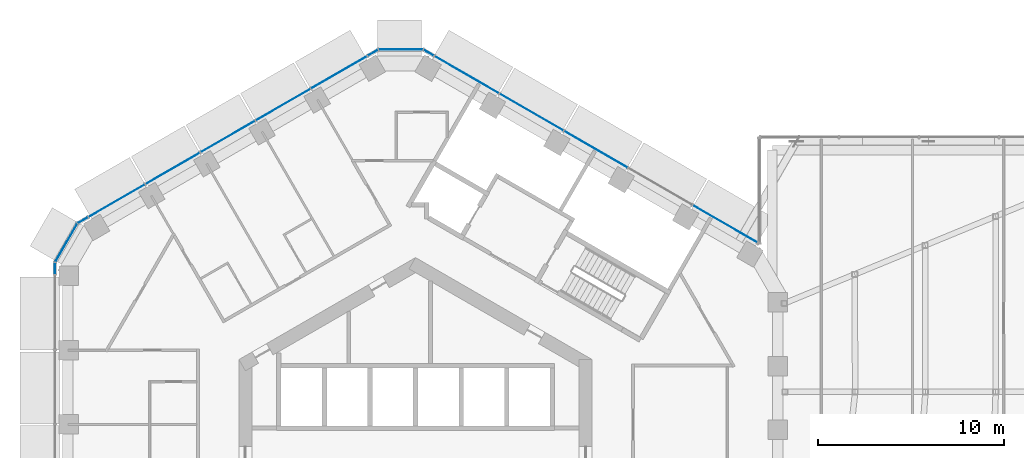
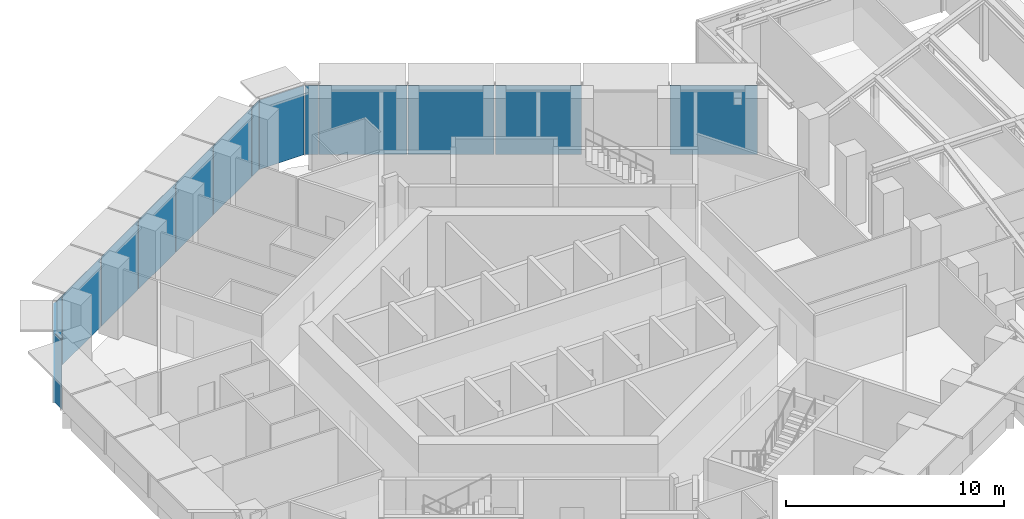
# One storey, part 14 of 24: 15 plates, 4 elements without a shape of their own.
"""IFC4 building model written with IfcOpenShell, lengths in metres."""

from ifc_helpers import new_model, si_unit, direction, frame, origin, origin_2d, place, context, subcontext, project, spatial, rectangle, extrude, material, layer, layer_set, type_object, element, aggregate, save


model = new_model("IFC4")

# Units and contexts
model_context = context("Model", 3, precision=1e-05, world=origin(), true_north=direction((0.0, 1.0)))
body_context = subcontext(model_context, "Body", "Model", "MODEL_VIEW")
ifc_project = project(units=[si_unit("LENGTHUNIT", "METRE"), si_unit("AREAUNIT", "SQUARE_METRE"), si_unit("VOLUMEUNIT", "CUBIC_METRE"), si_unit("PLANEANGLEUNIT", "RADIAN"), si_unit("MASSUNIT", "GRAM", prefix="KILO")], contexts=[model_context])

# Site, building, storey
site_placement = place(None, origin())
site = spatial("IfcSite", under=ifc_project, at=site_placement, CompositionType="ELEMENT")
building_placement = place(site_placement, origin())
building = spatial("IfcBuilding", under=site, at=building_placement, Name="Ayvan Gate Tower", CompositionType="ELEMENT")
storey_placement = place(building_placement, frame((0.0, 0.0, 128.5)))
storey = spatial("IfcBuildingStorey", under=building, at=storey_placement, Name="L34", CompositionType="ELEMENT", Elevation=128.5)

# Curtain wall, plates
ifc_material_1 = material(Name="Bronze anodised aluminium", Category="aluminium")
ifc_layer_1 = layer(ifc_material_1, 0.199951171875)
ifc_layer_set_1 = layer_set([ifc_layer_1], Name="Bronze anodised aluminium")
curtain_wall_type_1 = type_object("IfcCurtainWallType", Name="Stick curtain wall CW-1", PredefinedType="NOTDEFINED", material=ifc_layer_set_1)
curtain_wall_1_placement = place(storey_placement, origin())
curtain_wall_1 = element("IfcCurtainWall", 1, at=curtain_wall_1_placement, inside=storey, type_object=curtain_wall_type_1, Name="Stick curtain wall CW-1 L34", PredefinedType="NOTDEFINED")
ifc_material_2 = material(Name="Clear low-iron laminated glass", Category="glass")
ifc_layer_2 = layer(ifc_material_2, 0.028076171875)
ifc_layer_set_2 = layer_set([ifc_layer_2], Name="Clear low-iron laminated glass")
plate_type_1 = type_object("IfcPlateType", Name="Stick curtain wall CW-1 glass panel", PredefinedType="CURTAIN_PANEL", material=ifc_layer_set_2)
plate_1_placement = place(storey_placement, frame((16.653076171875, 12.778564453125, 0.0), z_axis=(0.0, 0.0, 1.0), x_axis=(-0.866025403784, 0.5, 0.0)))
plate_1 = element("IfcPlate", 2, at=plate_1_placement, type_object=plate_type_1, Name="CW-1 glass panel 1", PredefinedType="CURTAIN_PANEL", context=body_context, shape_type="SweptSolid", body=[
    extrude(rectangle(XDim=4.010009765625, YDim=0.028076171875, at=origin_2d()), origin(), (0.0, 0.0, 1.0), 3.8798828125),
])
plate_2_placement = place(storey_placement, frame((9.6962890625, 16.795166015625, 0.0), z_axis=(0.0, 0.0, 1.0), x_axis=(-0.866025403784, 0.5, 0.0)))
plate_2 = element("IfcPlate", 3, at=plate_2_placement, type_object=plate_type_1, Name="CW-1 glass panel 3", PredefinedType="CURTAIN_PANEL", context=body_context, shape_type="SweptSolid", body=[
    extrude(rectangle(XDim=3.93798828125, YDim=0.028076171875, at=origin_2d()), origin(), (0.0, 0.0, 1.0), 3.8798828125),
])
plate_3_placement = place(storey_placement, frame((6.23388671875, 18.794189453125, 0.0), z_axis=(0.0, 0.0, 1.0), x_axis=(-0.866025403784, 0.5, 0.0)))
plate_3 = element("IfcPlate", 4, at=plate_3_placement, type_object=plate_type_1, Name="CW-1 glass panel 4", PredefinedType="CURTAIN_PANEL", context=body_context, shape_type="SweptSolid", body=[
    extrude(rectangle(XDim=3.93798828125, YDim=0.028076171875, at=origin_2d()), origin(), (0.0, 0.0, 1.0), 3.8798828125),
])
plate_4_placement = place(storey_placement, frame((2.740234375, 20.811279296875, 0.0), z_axis=(0.0, 0.0, 1.0), x_axis=(-0.866025403784, 0.5, 0.0)))
plate_4 = element("IfcPlate", 5, at=plate_4_placement, type_object=plate_type_1, Name="CW-1 glass panel 5", PredefinedType="CURTAIN_PANEL", context=body_context, shape_type="SweptSolid", body=[
    extrude(rectangle(XDim=4.01025390625, YDim=0.028076171875, at=origin_2d()), origin(), (0.0, 0.0, 1.0), 3.8798828125),
])
aggregate(curtain_wall_1, [plate_1, plate_2, plate_3, plate_4])

curtain_wall_2_placement = place(storey_placement, origin())
curtain_wall_2 = element("IfcCurtainWall", 6, at=curtain_wall_2_placement, inside=storey, type_object=curtain_wall_type_1, Name="Stick curtain wall CW-1 L34", PredefinedType="NOTDEFINED")
plate_5_placement = place(storey_placement, frame((-4.103271484375, 20.939208984375, 0.0), z_axis=(0.0, 0.0, 1.0), x_axis=(-0.866025403784, -0.5, 0.0)))
plate_5 = element("IfcPlate", 7, at=plate_5_placement, type_object=plate_type_1, Name="CW-1 glass panel 1", PredefinedType="CURTAIN_PANEL", context=body_context, shape_type="SweptSolid", body=[
    extrude(rectangle(XDim=3.498046875, YDim=0.028076171875, at=origin_2d()), origin(), (0.0, 0.0, 1.0), 3.8798828125),
])
plate_6_placement = place(storey_placement, frame((-7.126953125, 19.193603515625, 0.0), z_axis=(0.0, 0.0, 1.0), x_axis=(-0.866025403784, -0.5, 0.0)))
plate_6 = element("IfcPlate", 8, at=plate_6_placement, type_object=plate_type_1, Name="CW-1 glass panel 2", PredefinedType="CURTAIN_PANEL", context=body_context, shape_type="SweptSolid", body=[
    extrude(rectangle(XDim=3.364990234375, YDim=0.028076171875, at=origin_2d()), origin(), (0.0, 0.0, 1.0), 3.8798828125),
])
plate_7_placement = place(storey_placement, frame((-10.09326171875, 17.48095703125, 0.0), z_axis=(0.0, 0.0, 1.0), x_axis=(-0.866025403784, -0.5, 0.0)))
plate_7 = element("IfcPlate", 9, at=plate_7_placement, type_object=plate_type_1, Name="CW-1 glass panel 3", PredefinedType="CURTAIN_PANEL", context=body_context, shape_type="SweptSolid", body=[
    extrude(rectangle(XDim=3.364990234375, YDim=0.028076171875, at=origin_2d()), origin(), (0.0, 0.0, 1.0), 3.8798828125),
])
plate_8_placement = place(storey_placement, frame((-13.059326171875, 15.7685546875, 0.0), z_axis=(0.0, 0.0, 1.0), x_axis=(-0.866025403784, -0.5, 0.0)))
plate_8 = element("IfcPlate", 10, at=plate_8_placement, type_object=plate_type_1, Name="CW-1 glass panel 4", PredefinedType="CURTAIN_PANEL", context=body_context, shape_type="SweptSolid", body=[
    extrude(rectangle(XDim=3.364990234375, YDim=0.028076171875, at=origin_2d()), origin(), (0.0, 0.0, 1.0), 3.8798828125),
])
plate_9_placement = place(storey_placement, frame((-16.082763671875, 14.02294921875, 0.0), z_axis=(0.0, 0.0, 1.0), x_axis=(-0.866025403784, -0.5, 0.0)))
plate_9 = element("IfcPlate", 11, at=plate_9_placement, type_object=plate_type_1, Name="CW-1 glass panel 5", PredefinedType="CURTAIN_PANEL", context=body_context, shape_type="SweptSolid", body=[
    extrude(rectangle(XDim=3.4970703125, YDim=0.028076171875, at=origin_2d()), origin(), (0.0, 0.0, 1.0), 3.8798828125),
])
aggregate(curtain_wall_2, [plate_5, plate_6, plate_7, plate_8, plate_9])

ifc_layer_3 = layer(ifc_material_1, 0.199951171875)
ifc_layer_set_3 = layer_set([ifc_layer_3], Name="Bronze anodised aluminium")
curtain_wall_type_2 = type_object("IfcCurtainWallType", Name="Stick curtain wall CW-6", PredefinedType="NOTDEFINED", material=ifc_layer_set_3)
curtain_wall_3_placement = place(storey_placement, origin())
curtain_wall_3 = element("IfcCurtainWall", 12, at=curtain_wall_3_placement, inside=storey, type_object=curtain_wall_type_2, Name="Stick curtain wall CW-6 L34", PredefinedType="NOTDEFINED")
ifc_layer_4 = layer(ifc_material_2, 0.028076171875)
ifc_layer_set_4 = layer_set([ifc_layer_4], Name="Clear low-iron laminated glass")
plate_type_2 = type_object("IfcPlateType", Name="Stick curtain wall CW-6 glass panel", PredefinedType="CURTAIN_PANEL", material=ifc_layer_set_4)
plate_10_placement = place(storey_placement, frame((0.70703125, 21.985107421875, 0.0), z_axis=(0.0, 0.0, 1.0), x_axis=(-0.866025403784, 0.5, 0.0)))
plate_10 = element("IfcPlate", 13, at=plate_10_placement, type_object=plate_type_2, Name="CW-6 glass panel 1", PredefinedType="CURTAIN_PANEL", context=body_context, shape_type="SweptSolid", body=[
    extrude(rectangle(XDim=0.625, YDim=0.028076171875, at=origin_2d()), origin(), (0.0, 0.0, 1.0), 3.8798828125),
])
plate_11_placement = place(storey_placement, frame((-0.79248046875, 22.15380859375, 0.0), z_axis=(0.0, 0.0, 1.0), x_axis=(-1.0, 0.0, 0.0)))
plate_11 = element("IfcPlate", 14, at=plate_11_placement, type_object=plate_type_2, Name="CW-6 glass panel 2", PredefinedType="CURTAIN_PANEL", context=body_context, shape_type="SweptSolid", body=[
    extrude(rectangle(XDim=2.364501953125, YDim=0.028076171875, at=origin_2d()), origin(), (0.0, 0.0, 1.0), 3.8798828125),
])
plate_12_placement = place(storey_placement, frame((-2.2919921875, 21.985107421875, 0.0), z_axis=(0.0, 0.0, 1.0), x_axis=(-0.866025403784, -0.5, 0.0)))
plate_12 = element("IfcPlate", 15, at=plate_12_placement, type_object=plate_type_2, Name="CW-6 glass panel 3", PredefinedType="CURTAIN_PANEL", context=body_context, shape_type="SweptSolid", body=[
    extrude(rectangle(XDim=0.625, YDim=0.028076171875, at=origin_2d()), origin(), (0.0, 0.0, 1.0), 3.8798828125),
])
aggregate(curtain_wall_3, [plate_10, plate_11, plate_12])

curtain_wall_4_placement = place(storey_placement, origin())
curtain_wall_4 = element("IfcCurtainWall", 16, at=curtain_wall_4_placement, inside=storey, type_object=curtain_wall_type_2, Name="Stick curtain wall CW-6 L34", PredefinedType="NOTDEFINED")
plate_13_placement = place(storey_placement, frame((-17.8935546875, 12.9775390625, 0.0), z_axis=(0.0, 0.0, 1.0), x_axis=(-0.866025403784, -0.5, 0.0)))
plate_13 = element("IfcPlate", 17, at=plate_13_placement, type_object=plate_type_2, Name="CW-6 glass panel 1", PredefinedType="CURTAIN_PANEL", context=body_context, shape_type="SweptSolid", body=[
    extrude(rectangle(XDim=0.625, YDim=0.028076171875, at=origin_2d()), origin(), (0.0, 0.0, 1.0), 3.8798828125),
])
plate_14_placement = place(storey_placement, frame((-18.78955078125, 11.76318359375, 0.0), z_axis=(0.0, 0.0, 1.0), x_axis=(-0.5, -0.866025403784, 0.0)))
plate_14 = element("IfcPlate", 18, at=plate_14_placement, type_object=plate_type_2, Name="CW-6 glass panel 2", PredefinedType="CURTAIN_PANEL", context=body_context, shape_type="SweptSolid", body=[
    extrude(rectangle(XDim=2.364501953125, YDim=0.028076171875, at=origin_2d()), origin(), (0.0, 0.0, 1.0), 3.8798828125),
])
plate_15_placement = place(storey_placement, frame((-19.39306640625, 10.380126953125, 0.0), z_axis=(0.0, 0.0, 1.0), x_axis=(0.0, -1.0, 0.0)))
plate_15 = element("IfcPlate", 19, at=plate_15_placement, type_object=plate_type_2, Name="CW-6 glass panel 3", PredefinedType="CURTAIN_PANEL", context=body_context, shape_type="SweptSolid", body=[
    extrude(rectangle(XDim=0.625, YDim=0.028076171875, at=origin_2d()), origin(), (0.0, 0.0, 1.0), 3.8798828125),
])
aggregate(curtain_wall_4, [plate_13, plate_14, plate_15])

save(model, "model.ifc")
